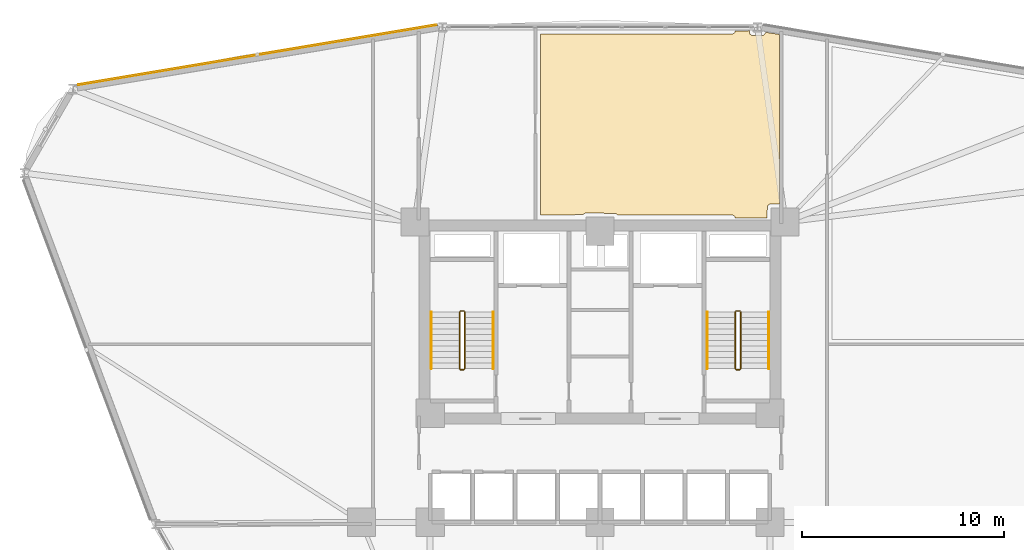
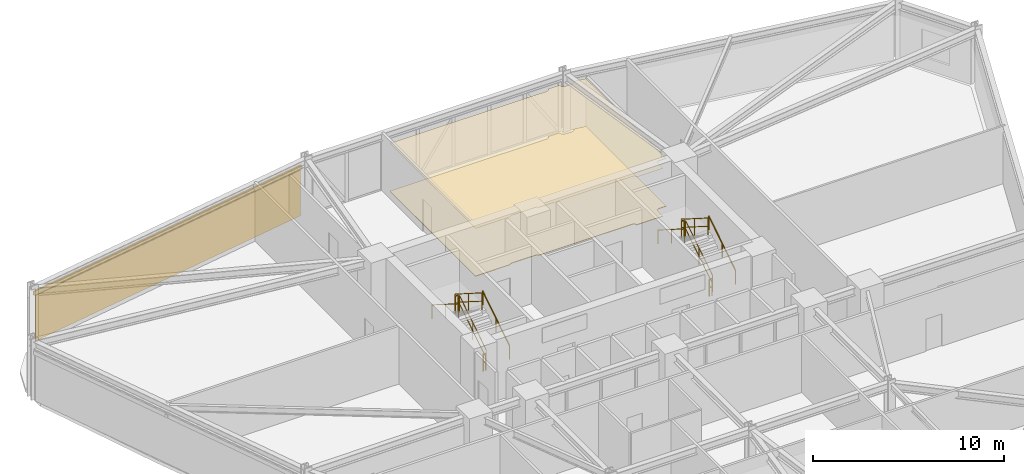
# One storey, part 21 of 22: 12 railings, 3 coverings, 1 shading device.
"""IFC4 building model written with IfcOpenShell, lengths in metres."""

import ifcopenshell
import ifcopenshell.guid

model = None  # the IFC model being written
_history = None  # IfcOwnerHistory: only IFC2X3 demands one
_inside = {}  # id of a spatial element -> (the spatial element, [elements in it])
_under = {}  # id of a project, library or spatial element -> (it, [spatial elements below it])
_declared = {}  # id of a project -> (the project, [libraries it declares])
_typed = {}  # id of a type object -> (the type object, [elements of that type])
_made_of = {}  # id of a material, layer set ... -> (it, [elements and type objects made of it])


def new_model(schema):
    """Start an empty IFC model of exactly this schema.

    Asked for "IFC4X3", IfcOpenShell would pick the latest addendum, in which some entities
    have other attributes; the version numbers below select the first issue.
    IFC2X3 requires an IfcOwnerHistory on every rooted entity: one is made here for all.
    """
    global model, _history
    if schema == "IFC4X3":
        model = ifcopenshell.file(schema_version=(4, 3, 0, 0))
    else:
        model = ifcopenshell.file(schema=schema)
    _inside.clear()
    _under.clear()
    _declared.clear()
    _typed.clear()
    _made_of.clear()
    _history = None
    if model.schema == "IFC2X3":
        org = make("IfcOrganization", Name="unknown")
        user = make(
            "IfcPersonAndOrganization",
            ThePerson=make("IfcPerson", FamilyName="unknown"),
            TheOrganization=org,
        )
        app = make(
            "IfcApplication",
            ApplicationDeveloper=org,
            Version="unknown",
            ApplicationFullName="unknown",
            ApplicationIdentifier="unknown",
        )
        _history = make(
            "IfcOwnerHistory",
            OwningUser=user,
            OwningApplication=app,
            ChangeAction="ADDED",
            CreationDate=0,
        )
    return model


def make(cls, **values):
    """One entity of the class cls with the attributes given. An attribute that is None is left unset."""
    return model.create_entity(
        cls, **{name: value for name, value in values.items() if value is not None}
    )


def rooted(cls, **values):
    """An entity with a GlobalId (a new one), such as an element, a storey or a relation."""
    return make(cls, GlobalId=ifcopenshell.guid.new(), OwnerHistory=_history, **values)


def si_unit(unit_type, name, prefix=None):
    """IfcSIUnit, for example si_unit("LENGTHUNIT", "METRE", prefix="MILLI")."""
    return make("IfcSIUnit", UnitType=unit_type, Prefix=prefix, Name=name)


def derived_unit(unit_type, elements):
    """IfcDerivedUnit: a product of units, each with its exponent."""
    return make(
        "IfcDerivedUnit",
        Elements=[
            make("IfcDerivedUnitElement", Unit=unit, Exponent=power)
            for unit, power in elements
        ],
        UnitType=unit_type,
    )


def assignment(units):
    """IfcUnitAssignment: the units of a project."""
    return None if units is None else make("IfcUnitAssignment", Units=units)


def point(xyz):
    """IfcCartesianPoint."""
    return None if xyz is None else make("IfcCartesianPoint", Coordinates=xyz)


def direction(xyz):
    """IfcDirection."""
    return None if xyz is None else make("IfcDirection", DirectionRatios=xyz)


def frame(location, z_axis=None, x_axis=None):
    """IfcAxis2Placement3D, a coordinate frame: its origin and axes. An axis left out is left unset."""
    return make(
        "IfcAxis2Placement3D",
        Location=point(location),
        Axis=direction(z_axis),
        RefDirection=direction(x_axis),
    )


def frame_2d(location, x_axis=None):
    """IfcAxis2Placement2D, a coordinate frame in the plane: its origin and x axis."""
    return make(
        "IfcAxis2Placement2D", Location=point(location), RefDirection=direction(x_axis)
    )


def origin():
    """The frame at (0, 0, 0) with its axes left unset."""
    return frame((0.0, 0.0, 0.0))


def origin_2d():
    """The frame at (0, 0) in the plane with its x axis left unset."""
    return frame_2d((0.0, 0.0))


def place(relative_to, where):
    """IfcLocalPlacement: puts the frame where relative to a parent placement (None: the world)."""
    return make(
        "IfcLocalPlacement", PlacementRelTo=relative_to, RelativePlacement=where
    )


def context(
    kind, dimensions, precision=None, world=None, true_north=None, identifier=None
):
    """IfcGeometricRepresentationContext, for example the 3D "Model" context."""
    return make(
        "IfcGeometricRepresentationContext",
        ContextIdentifier=identifier,
        ContextType=kind,
        CoordinateSpaceDimension=dimensions,
        Precision=precision,
        WorldCoordinateSystem=world,
        TrueNorth=true_north,
    )


def subcontext(parent, identifier, kind, view, scale=None):
    """IfcGeometricRepresentationSubContext, for example "Body" below "Model"."""
    return make(
        "IfcGeometricRepresentationSubContext",
        ContextIdentifier=identifier,
        ContextType=kind,
        ParentContext=parent,
        TargetScale=scale,
        TargetView=view,
    )


def project(units=None, contexts=None):
    """IfcProject with its units and contexts."""
    return rooted(
        "IfcProject",
        Name="project",
        RepresentationContexts=contexts,
        UnitsInContext=assignment(units),
    )


def spatial(cls, under=None, at=None, **own):
    """A site, building, storey or space (cls), placed at a placement, below another one or the project."""
    s = rooted(cls, ObjectPlacement=at, **own)
    if under is not None:
        _under.setdefault(under.id(), (under, []))[1].append(s)
    return s


def polyline(points):
    """IfcPolyline through the points."""
    return make("IfcPolyline", Points=[point(p) for p in points])


def profile(cls, at=None, kind="AREA", **sizes):
    """A parametric profile (cls). Its sizes go by their IFC names, for example OverallWidth=200.0."""
    return make(cls, ProfileType=kind, Position=at, **sizes)


def hollow_rectangle(**sizes):
    """IfcRectangleHollowProfileDef."""
    return profile("IfcRectangleHollowProfileDef", **sizes)


def circle(**sizes):
    """IfcCircleProfileDef."""
    return profile("IfcCircleProfileDef", **sizes)


def outline(outer, holes=None, kind="AREA"):
    """IfcArbitraryClosedProfileDef: a profile drawn as a closed curve; with holes, ...WithVoids."""
    if holes is None:
        return make("IfcArbitraryClosedProfileDef", ProfileType=kind, OuterCurve=outer)
    return make(
        "IfcArbitraryProfileDefWithVoids",
        ProfileType=kind,
        OuterCurve=outer,
        InnerCurves=holes,
    )


def extrude(swept, where, along, depth):
    """IfcExtrudedAreaSolid: the profile swept, set in the frame where, extruded along a direction by depth."""
    return make(
        "IfcExtrudedAreaSolid",
        SweptArea=swept,
        Position=where,
        ExtrudedDirection=direction(along),
        Depth=depth,
    )


def shape(context_of_items, identifier, shape_type, items):
    """IfcShapeRepresentation: the items that make up one representation, for example the "Body"."""
    return make(
        "IfcShapeRepresentation",
        ContextOfItems=context_of_items,
        RepresentationIdentifier=identifier,
        RepresentationType=shape_type,
        Items=items,
    )


def source(mapping_origin, context_of_items, identifier, shape_type, items):
    """IfcRepresentationMap: a shape defined once, which mapped items show again and again."""
    return make(
        "IfcRepresentationMap",
        MappingOrigin=mapping_origin,
        MappedRepresentation=shape(context_of_items, identifier, shape_type, items),
    )


def transform(
    local_origin,
    x_axis=None,
    y_axis=None,
    z_axis=None,
    scale=None,
    scale2=None,
    scale3=None,
    uniform=True,
):
    """IfcCartesianTransformationOperator3D, or its non-uniform kind. x_axis, y_axis, z_axis: its Axis1, 2, 3."""
    if uniform:
        return make(
            "IfcCartesianTransformationOperator3D",
            Axis1=direction(x_axis),
            Axis2=direction(y_axis),
            LocalOrigin=point(local_origin),
            Scale=scale,
            Axis3=direction(z_axis),
        )
    return make(
        "IfcCartesianTransformationOperator3DnonUniform",
        Axis1=direction(x_axis),
        Axis2=direction(y_axis),
        LocalOrigin=point(local_origin),
        Scale=scale,
        Axis3=direction(z_axis),
        Scale2=scale2,
        Scale3=scale3,
    )


def mapped(mapping_source, mapping_target):
    """IfcMappedItem: shows the shape of a source again, moved by a transform."""
    return make(
        "IfcMappedItem", MappingSource=mapping_source, MappingTarget=mapping_target
    )


def material(Name=None, Category=None):
    """IfcMaterial."""
    return make("IfcMaterial", Name=Name, Category=Category)


def layer(
    of_material, thickness, ventilated=None, Name=None, Category=None, Priority=None
):
    """IfcMaterialLayer: one layer of a wall or slab, of a material (None: an air gap)."""
    return make(
        "IfcMaterialLayer",
        Material=of_material,
        LayerThickness=thickness,
        IsVentilated=ventilated,
        Name=Name,
        Category=Category,
        Priority=Priority,
    )


def layer_set(layers, Name=None):
    """IfcMaterialLayerSet."""
    return make("IfcMaterialLayerSet", MaterialLayers=layers, LayerSetName=Name)


def material_profile(
    of_material, cross_section, Name=None, Category=None, Priority=None
):
    """IfcMaterialProfile: a cross section and its material."""
    return make(
        "IfcMaterialProfile",
        Name=Name,
        Material=of_material,
        Profile=cross_section,
        Priority=Priority,
        Category=Category,
    )


def profile_set(profiles, Name=None, composite=None):
    """IfcMaterialProfileSet."""
    return make(
        "IfcMaterialProfileSet",
        Name=Name,
        MaterialProfiles=profiles,
        CompositeProfile=composite,
    )


def made_of(thing, what):
    """Note that an element or type object is made of a material, layer set ...; save() writes the relation."""
    if what is not None:
        _made_of.setdefault(what.id(), (what, []))[1].append(thing)
    return thing


def type_object(cls, material=None, **own):
    """A type object (cls), such as IfcWallType, which elements share."""
    return made_of(rooted(cls, **own), material)


def element(
    cls,
    number,
    at=None,
    inside=None,
    cuts=None,
    type_object=None,
    material=None,
    context=None,
    identifier="Body",
    shape_type=None,
    held_by="IfcProductDefinitionShape",
    body=None,
    shapes=None,
    **own,
):
    """One element of the class cls, such as IfcWall. Its Tag is "e" and its number.

    at: its placement. inside: the storey or other place that contains it. cuts: it is an
    opening in that element (IfcRelVoidsElement). A single representation is given by context,
    identifier, shape_type and body (its items); several are given by shapes. held_by: the class
    of the entity that holds the representations. save() writes the other relations.
    """
    e = rooted(cls, Tag="e%d" % number, ObjectPlacement=at, **own)
    if body is not None:
        shapes = [shape(context, identifier, shape_type, body)]
    if shapes is not None:
        e.Representation = make(held_by, Representations=shapes)
    if inside is not None:
        _inside.setdefault(inside.id(), (inside, []))[1].append(e)
    if cuts is not None:
        rooted(
            "IfcRelVoidsElement", RelatingBuildingElement=cuts, RelatedOpeningElement=e
        )
    if type_object is not None:
        _typed.setdefault(type_object.id(), (type_object, []))[1].append(e)
    return made_of(e, material)


def aggregate(whole, parts):
    """IfcRelAggregates: a whole, such as a stair, and the parts it consists of."""
    return rooted("IfcRelAggregates", RelatingObject=whole, RelatedObjects=parts)


def save(model, path):
    """Write the relations noted so far, then the file.

    IfcRelAggregates (storeys below a building ...), IfcRelContainedInSpatialStructure (elements
    in a storey), IfcRelDefinesByType, IfcRelAssociatesMaterial and IfcRelDeclares: one each for
    every whole, place, type object, material and project.
    """
    for whole, parts in _under.values():
        aggregate(whole, parts)
    for where, things in _inside.values():
        rooted(
            "IfcRelContainedInSpatialStructure",
            RelatedElements=things,
            RelatingStructure=where,
        )
    for kind, things in _typed.values():
        rooted("IfcRelDefinesByType", RelatedObjects=things, RelatingType=kind)
    for what, things in _made_of.values():
        rooted("IfcRelAssociatesMaterial", RelatedObjects=things, RelatingMaterial=what)
    for by, libraries in _declared.values():
        rooted("IfcRelDeclares", RelatingContext=by, RelatedDefinitions=libraries)
    model.write(path)


model = new_model("IFC4")

# Units and contexts
model_context = context("Model", 3, precision=1e-05, world=origin(), true_north=direction((0.0, 1.0)))
body_context = subcontext(model_context, "Body", "Model", "MODEL_VIEW")
ifc_project = project(units=[si_unit("LENGTHUNIT", "METRE"), si_unit("AREAUNIT", "SQUARE_METRE"), si_unit("VOLUMEUNIT", "CUBIC_METRE"), si_unit("PLANEANGLEUNIT", "RADIAN"), si_unit("MASSUNIT", "GRAM", prefix="KILO"), derived_unit("THERMALTRANSMITTANCEUNIT", [(si_unit("POWERUNIT", "WATT"), 1), (si_unit("LENGTHUNIT", "METRE"), -2), (si_unit("THERMODYNAMICTEMPERATUREUNIT", "KELVIN"), -1)])], contexts=[model_context])

# Site, building, storey
site_placement = place(None, origin())
site = spatial("IfcSite", under=ifc_project, at=site_placement, CompositionType="ELEMENT")
building_placement = place(site_placement, origin())
building = spatial("IfcBuilding", under=site, at=building_placement, Name="Korsvarv Bourse and Concert Hall", CompositionType="ELEMENT")
storey_placement = place(building_placement, frame((0.0, 0.0, 51.300048828125)))
storey = spatial("IfcBuildingStorey", under=building, at=storey_placement, Name="L12", CompositionType="ELEMENT", Elevation=51.300048828125)

# Coverings
ifc_material_1 = material(Name="Perforated mineral-wool and birch acoustic baffle ceiling", Category="wood")
ifc_layer_1 = layer(ifc_material_1, 0.02490234375)
ifc_layer_set_1 = layer_set([ifc_layer_1], Name="Perforated mineral-wool and birch acoustic baffle ceiling")
covering_type_1 = type_object("IfcCoveringType", Name="COV-CEIL-1", PredefinedType="CEILING", material=ifc_layer_set_1)
covering_1_placement = place(storey_placement, frame((0.0, 0.0, 3.06005859375)))
element("IfcCovering", 1, at=covering_1_placement, inside=storey, type_object=covering_type_1, Name="L12 acoustic baffle ceiling 3", PredefinedType="CEILING", context=body_context, shape_type="SweptSolid", body=[
    extrude(outline(polyline([(33.050048828125, 47.60009765625), (33.050048828125, 56.549560546875), (42.510009765625, 56.549560546875), (42.546142578125, 56.55322265625), (42.5810546875, 56.564208984375), (42.61279296875, 56.581787109375), (42.640380859375, 56.60546875), (42.66259765625, 56.63427734375), (42.6787109375, 56.6669921875), (42.68798828125, 56.7021484375), (43.3828125, 56.70947265625), (43.3828125, 56.652587890625), (43.385986328125, 56.617919921875), (43.39599609375, 56.584716796875), (43.412109375, 56.5537109375), (43.43408203125, 56.526611328125), (43.460693359375, 56.50439453125), (43.490966796875, 56.4873046875), (43.52392578125, 56.476806640625), (43.55859375, 56.472412109375), (43.99267578125, 56.46240234375), (44.027099609375, 56.465087890625), (44.060791015625, 56.474365234375), (44.091796875, 56.48974609375), (44.119384765625, 56.5107421875), (44.142333984375, 56.536865234375), (44.159912109375, 56.56689453125), (44.17138671875, 56.599609375), (44.176513671875, 56.6337890625), (44.870849609375, 56.525146484375), (44.8701171875, 48.139892578125), (44.449951171875, 48.139892578125), (44.415283203125, 48.13671875), (44.381591796875, 48.12646484375), (44.350830078125, 48.110107421875), (44.323486328125, 48.088134765625), (44.30126953125, 48.061279296875), (44.284423828125, 48.03076171875), (44.27392578125, 47.997314453125), (44.27001953125, 47.962646484375), (44.2626953125, 47.43994140625), (42.688720703125, 47.43994140625), (42.68408203125, 47.465087890625), (42.671630859375, 47.499267578125), (42.65234375, 47.5302734375), (42.627197265625, 47.556640625), (42.597412109375, 47.577392578125), (42.56396484375, 47.591796875), (42.5283203125, 47.59912109375), (36.859619140625, 47.60009765625), (36.837646484375, 47.626708984375), (36.810791015625, 47.649169921875), (36.77978515625, 47.666015625), (36.74609375, 47.67626953125), (36.711181640625, 47.679931640625), (35.30126953125, 47.68994140625), (35.266357421875, 47.686767578125), (35.232421875, 47.677001953125), (35.201416015625, 47.66064453125), (35.174072265625, 47.638427734375), (35.1513671875, 47.611572265625), (33.050048828125, 47.60009765625)])), origin(), (0.0, 0.0, 1.0), 0.02490234375),
])
ifc_material_2 = material(Name="Warm iron-oxide extruded terracotta rainscreen tile", Category="ceramic")
ifc_layer_2 = layer(ifc_material_2, 0.044921875)
ifc_layer_set_2 = layer_set([ifc_layer_2], Name="Warm iron-oxide extruded terracotta rainscreen tile")
covering_type_2 = type_object("IfcCoveringType", Name="COV-CLD-TC", PredefinedType="CLADDING", material=ifc_layer_set_2)
covering_2_placement = place(storey_placement, origin())
element("IfcCovering", 2, at=covering_2_placement, inside=storey, type_object=covering_type_2, Name="L12 fluted terracotta cladding panel EW-L12-B04", PredefinedType="CLADDING", context=body_context, shape_type="SweptSolid", body=[
    extrude(outline(polyline([(27.897216796875, 56.97314453125), (10.204345703125, 54.01123046875), (10.197021484375, 54.055419921875), (27.8896484375, 57.017578125), (27.897216796875, 56.97314453125)])), origin(), (0.0, 0.0, 1.0), 2.909912109375),
])
ifc_material_3 = material(Name="Calcium-sulphate raised access trading floor with Nordic oak top", Category="wood")
ifc_layer_3 = layer(ifc_material_3, 0.0400390625)
ifc_layer_set_3 = layer_set([ifc_layer_3], Name="Calcium-sulphate raised access trading floor with Nordic oak top")
covering_type_3 = type_object("IfcCoveringType", Name="COV-FLOR-1", PredefinedType="FLOORING", material=ifc_layer_set_3)
covering_3_placement = place(storey_placement, origin())
element("IfcCovering", 3, at=covering_3_placement, inside=storey, type_object=covering_type_3, Name="L12 raised access oak floor finish 3", PredefinedType="FLOORING", context=body_context, shape_type="SweptSolid", body=[
    extrude(outline(polyline([(33.050048828125, 47.60009765625), (33.050048828125, 56.549560546875), (42.510009765625, 56.549560546875), (42.546142578125, 56.55322265625), (42.5810546875, 56.564208984375), (42.61279296875, 56.581787109375), (42.640380859375, 56.60546875), (42.66259765625, 56.63427734375), (42.6787109375, 56.6669921875), (42.68798828125, 56.7021484375), (43.3828125, 56.70947265625), (43.3828125, 56.652587890625), (43.385986328125, 56.617919921875), (43.39599609375, 56.584716796875), (43.412109375, 56.5537109375), (43.43408203125, 56.526611328125), (43.460693359375, 56.50439453125), (43.490966796875, 56.4873046875), (43.52392578125, 56.476806640625), (43.55859375, 56.472412109375), (43.99267578125, 56.46240234375), (44.027099609375, 56.465087890625), (44.060791015625, 56.474365234375), (44.091796875, 56.48974609375), (44.119384765625, 56.5107421875), (44.142333984375, 56.536865234375), (44.159912109375, 56.56689453125), (44.17138671875, 56.599609375), (44.176513671875, 56.6337890625), (44.870849609375, 56.525146484375), (44.8701171875, 48.139892578125), (44.449951171875, 48.139892578125), (44.415283203125, 48.13671875), (44.381591796875, 48.12646484375), (44.350830078125, 48.110107421875), (44.323486328125, 48.088134765625), (44.30126953125, 48.061279296875), (44.284423828125, 48.03076171875), (44.27392578125, 47.997314453125), (44.27001953125, 47.962646484375), (44.2626953125, 47.43994140625), (42.688720703125, 47.43994140625), (42.68408203125, 47.465087890625), (42.671630859375, 47.499267578125), (42.65234375, 47.5302734375), (42.627197265625, 47.556640625), (42.597412109375, 47.577392578125), (42.56396484375, 47.591796875), (42.5283203125, 47.59912109375), (36.859619140625, 47.60009765625), (36.837646484375, 47.626708984375), (36.810791015625, 47.649169921875), (36.77978515625, 47.666015625), (36.74609375, 47.67626953125), (36.711181640625, 47.679931640625), (35.30126953125, 47.68994140625), (35.266357421875, 47.686767578125), (35.232421875, 47.677001953125), (35.201416015625, 47.66064453125), (35.174072265625, 47.638427734375), (35.1513671875, 47.611572265625), (33.050048828125, 47.60009765625)])), origin(), (0.0, 0.0, 1.0), 0.0400390625),
])

# Railings
ifc_material_4 = material(Name="Painted Steel S355 stair well guardrail", Category="steel")
railing_type_1 = type_object("IfcRailingType", Name="RL-ST-GRD", PredefinedType="GUARDRAIL", material=ifc_material_4)
railing_1_placement = place(storey_placement, frame((29.31005859375, 40.0, 0.17724609375)))
element("IfcRailing", 4, at=railing_1_placement, inside=storey, type_object=railing_type_1, Name="L12 ST-T1 stair guard 1", PredefinedType="GUARDRAIL", context=body_context, shape_type="SweptSolid", body=[
    extrude(circle(Radius=0.02392578125, at=origin_2d()), frame((0.0, 0.0, 1.076171875), z_axis=(0.0, 0.844908973607, 0.534910110503), x_axis=(-1.0, 0.0, 0.0)), (0.0, 0.0, 1.0), 3.31396484375),
    extrude(circle(Radius=0.02392578125, at=origin_2d()), frame((0.0, 0.0, 0.550048828125), z_axis=(0.0, 0.844908973607, 0.534910110503), x_axis=(-1.0, 0.0, 0.0)), (0.0, 0.0, 1.0), 3.31396484375),
    extrude(circle(Radius=0.02099609375, at=origin_2d()), origin(), (0.0, 0.0, 1.0), 1.052001953125),
    extrude(circle(Radius=0.02099609375, at=origin_2d()), frame((0.0, 1.39990234375, 0.88623046875)), (0.0, 0.0, 1.0), 1.052001953125),
    extrude(circle(Radius=0.02099609375, at=origin_2d()), frame((0.0, 2.800048828125, 1.772705078125)), (0.0, 0.0, 1.0), 1.052001953125),
])
railing_2_placement = place(storey_placement, frame((29.260009765625, 42.85009765625, 1.949951171875)))
element("IfcRailing", 5, at=railing_2_placement, inside=storey, type_object=railing_type_1, Name="L12 ST-T1 stair guard 2", PredefinedType="GUARDRAIL", context=body_context, shape_type="SweptSolid", body=[
    extrude(circle(Radius=0.02392578125, at=origin_2d()), frame((0.0, 0.0, 1.076171875), z_axis=(-1.0, 0.0, 0.0), x_axis=(0.0, -1.0, 0.0)), (0.0, 0.0, 1.0), 0.159912109375),
    extrude(circle(Radius=0.02392578125, at=origin_2d()), frame((0.0, 0.0, 0.550048828125), z_axis=(-1.0, 0.0, 0.0), x_axis=(0.0, -1.0, 0.0)), (0.0, 0.0, 1.0), 0.159912109375),
    extrude(circle(Radius=0.02099609375, at=origin_2d()), origin(), (0.0, 0.0, 1.0), 1.052001953125),
    extrude(circle(Radius=0.02099609375, at=origin_2d()), frame((-0.159912109375, 0.0, 0.0)), (0.0, 0.0, 1.0), 1.052001953125),
])
railing_3_placement = place(storey_placement, frame((29.050048828125, 42.800048828125, 2.127197265625)))
element("IfcRailing", 6, at=railing_3_placement, inside=storey, type_object=railing_type_1, Name="L12 ST-T1 stair guard 3", PredefinedType="GUARDRAIL", context=body_context, shape_type="SweptSolid", body=[
    extrude(circle(Radius=0.02392578125, at=origin_2d()), frame((0.0, 0.0, 1.076171875), z_axis=(0.0, -0.844908973607, 0.534910110503), x_axis=(1.0, 0.0, 0.0)), (0.0, 0.0, 1.0), 3.31396484375),
    extrude(circle(Radius=0.02392578125, at=origin_2d()), frame((0.0, 0.0, 0.550048828125), z_axis=(0.0, -0.844908973607, 0.534910110503), x_axis=(1.0, 0.0, 0.0)), (0.0, 0.0, 1.0), 3.31396484375),
    extrude(circle(Radius=0.02099609375, at=origin_2d()), origin(), (0.0, 0.0, 1.0), 1.052001953125),
    extrude(circle(Radius=0.02099609375, at=origin_2d()), frame((0.0, -1.39990234375, 0.88623046875)), (0.0, 0.0, 1.0), 1.052001953125),
    extrude(circle(Radius=0.02099609375, at=origin_2d()), frame((0.0, -2.800048828125, 1.772705078125)), (0.0, 0.0, 1.0), 1.052001953125),
])
railing_4_placement = place(storey_placement, frame((29.260009765625, 39.949951171875, 0.0)))
element("IfcRailing", 7, at=railing_4_placement, inside=storey, type_object=railing_type_1, Name="L12 ST-T1 stair guard 4", PredefinedType="GUARDRAIL", context=body_context, shape_type="SweptSolid", body=[
    extrude(circle(Radius=0.02392578125, at=origin_2d()), frame((0.0, 0.0, 1.076171875), z_axis=(-1.0, 0.0, 0.0), x_axis=(0.0, -1.0, 0.0)), (0.0, 0.0, 1.0), 0.159912109375),
    extrude(circle(Radius=0.02392578125, at=origin_2d()), frame((0.0, 0.0, 0.550048828125), z_axis=(-1.0, 0.0, 0.0), x_axis=(0.0, -1.0, 0.0)), (0.0, 0.0, 1.0), 0.159912109375),
    extrude(circle(Radius=0.02099609375, at=origin_2d()), origin(), (0.0, 0.0, 1.0), 1.052001953125),
    extrude(circle(Radius=0.02099609375, at=origin_2d()), frame((-0.159912109375, 0.0, 0.0)), (0.0, 0.0, 1.0), 1.052001953125),
])
railing_5_placement = place(storey_placement, frame((42.949951171875, 40.0, 0.17724609375)))
element("IfcRailing", 8, at=railing_5_placement, inside=storey, type_object=railing_type_1, Name="L12 ST-T2 stair guard 1", PredefinedType="GUARDRAIL", context=body_context, shape_type="SweptSolid", body=[
    extrude(circle(Radius=0.02392578125, at=origin_2d()), frame((0.0, 0.0, 1.076171875), z_axis=(0.0, 0.844908973607, 0.534910110503), x_axis=(-1.0, 0.0, 0.0)), (0.0, 0.0, 1.0), 3.31396484375),
    extrude(circle(Radius=0.02392578125, at=origin_2d()), frame((0.0, 0.0, 0.550048828125), z_axis=(0.0, 0.844908973607, 0.534910110503), x_axis=(-1.0, 0.0, 0.0)), (0.0, 0.0, 1.0), 3.31396484375),
    extrude(circle(Radius=0.02099609375, at=origin_2d()), origin(), (0.0, 0.0, 1.0), 1.052001953125),
    extrude(circle(Radius=0.02099609375, at=origin_2d()), frame((0.0, 1.39990234375, 0.88623046875)), (0.0, 0.0, 1.0), 1.052001953125),
    extrude(circle(Radius=0.02099609375, at=origin_2d()), frame((0.0, 2.800048828125, 1.772705078125)), (0.0, 0.0, 1.0), 1.052001953125),
])
railing_6_placement = place(storey_placement, frame((42.89990234375, 42.85009765625, 1.949951171875)))
element("IfcRailing", 9, at=railing_6_placement, inside=storey, type_object=railing_type_1, Name="L12 ST-T2 stair guard 2", PredefinedType="GUARDRAIL", context=body_context, shape_type="SweptSolid", body=[
    extrude(circle(Radius=0.02392578125, at=origin_2d()), frame((0.0, 0.0, 1.076171875), z_axis=(-1.0, 0.0, 0.0), x_axis=(0.0, -1.0, 0.0)), (0.0, 0.0, 1.0), 0.159912109375),
    extrude(circle(Radius=0.02392578125, at=origin_2d()), frame((0.0, 0.0, 0.550048828125), z_axis=(-1.0, 0.0, 0.0), x_axis=(0.0, -1.0, 0.0)), (0.0, 0.0, 1.0), 0.159912109375),
    extrude(circle(Radius=0.02099609375, at=origin_2d()), origin(), (0.0, 0.0, 1.0), 1.052001953125),
    extrude(circle(Radius=0.02099609375, at=origin_2d()), frame((-0.159912109375, 0.0, 0.0)), (0.0, 0.0, 1.0), 1.052001953125),
])
railing_7_placement = place(storey_placement, frame((42.68994140625, 42.800048828125, 2.127197265625)))
element("IfcRailing", 10, at=railing_7_placement, inside=storey, type_object=railing_type_1, Name="L12 ST-T2 stair guard 3", PredefinedType="GUARDRAIL", context=body_context, shape_type="SweptSolid", body=[
    extrude(circle(Radius=0.02392578125, at=origin_2d()), frame((0.0, 0.0, 1.076171875), z_axis=(0.0, -0.844908973607, 0.534910110503), x_axis=(1.0, 0.0, 0.0)), (0.0, 0.0, 1.0), 3.31396484375),
    extrude(circle(Radius=0.02392578125, at=origin_2d()), frame((0.0, 0.0, 0.550048828125), z_axis=(0.0, -0.844908973607, 0.534910110503), x_axis=(1.0, 0.0, 0.0)), (0.0, 0.0, 1.0), 3.31396484375),
    extrude(circle(Radius=0.02099609375, at=origin_2d()), origin(), (0.0, 0.0, 1.0), 1.052001953125),
    extrude(circle(Radius=0.02099609375, at=origin_2d()), frame((0.0, -1.39990234375, 0.88623046875)), (0.0, 0.0, 1.0), 1.052001953125),
    extrude(circle(Radius=0.02099609375, at=origin_2d()), frame((0.0, -2.800048828125, 1.772705078125)), (0.0, 0.0, 1.0), 1.052001953125),
])
railing_8_placement = place(storey_placement, frame((42.89990234375, 39.949951171875, 0.0)))
element("IfcRailing", 11, at=railing_8_placement, inside=storey, type_object=railing_type_1, Name="L12 ST-T2 stair guard 4", PredefinedType="GUARDRAIL", context=body_context, shape_type="SweptSolid", body=[
    extrude(circle(Radius=0.02392578125, at=origin_2d()), frame((0.0, 0.0, 1.076171875), z_axis=(-1.0, 0.0, 0.0), x_axis=(0.0, -1.0, 0.0)), (0.0, 0.0, 1.0), 0.159912109375),
    extrude(circle(Radius=0.02392578125, at=origin_2d()), frame((0.0, 0.0, 0.550048828125), z_axis=(-1.0, 0.0, 0.0), x_axis=(0.0, -1.0, 0.0)), (0.0, 0.0, 1.0), 0.159912109375),
    extrude(circle(Radius=0.02099609375, at=origin_2d()), origin(), (0.0, 0.0, 1.0), 1.052001953125),
    extrude(circle(Radius=0.02099609375, at=origin_2d()), frame((-0.159912109375, 0.0, 0.0)), (0.0, 0.0, 1.0), 1.052001953125),
])
ifc_material_5 = material(Name="Brushed stainless Steel S355 tubular handrail", Category="steel")
railing_type_2 = type_object("IfcRailingType", Name="RL-ST-HND", PredefinedType="HANDRAIL", material=ifc_material_5)
railing_9_placement = place(storey_placement, frame((30.7099609375, 40.0, 0.17724609375)))
element("IfcRailing", 12, at=railing_9_placement, inside=storey, type_object=railing_type_2, Name="L12 ST-T1 stair handrail 1", PredefinedType="HANDRAIL", context=body_context, shape_type="SweptSolid", body=[
    extrude(circle(Radius=0.02392578125, at=origin_2d()), frame((0.0, 0.0, 0.8759765625), z_axis=(0.0, 0.844908973607, 0.534910110503), x_axis=(-1.0, 0.0, 0.0)), (0.0, 0.0, 1.0), 3.31396484375),
    extrude(circle(Radius=0.02099609375, at=origin_2d()), origin(), (0.0, 0.0, 1.0), 0.851806640625),
    extrude(circle(Radius=0.02099609375, at=origin_2d()), frame((0.0, 1.39990234375, 0.88623046875)), (0.0, 0.0, 1.0), 0.851806640625),
    extrude(circle(Radius=0.02099609375, at=origin_2d()), frame((0.0, 2.800048828125, 1.772705078125)), (0.0, 0.0, 1.0), 0.851806640625),
])
railing_10_placement = place(storey_placement, frame((27.64990234375, 42.800048828125, 2.127197265625)))
element("IfcRailing", 13, at=railing_10_placement, inside=storey, type_object=railing_type_2, Name="L12 ST-T1 stair handrail 2", PredefinedType="HANDRAIL", context=body_context, shape_type="SweptSolid", body=[
    extrude(circle(Radius=0.02392578125, at=origin_2d()), frame((0.0, 0.0, 0.8759765625), z_axis=(0.0, -0.844908973607, 0.534910110503), x_axis=(1.0, 0.0, 0.0)), (0.0, 0.0, 1.0), 3.31396484375),
    extrude(circle(Radius=0.02099609375, at=origin_2d()), origin(), (0.0, 0.0, 1.0), 0.851806640625),
    extrude(circle(Radius=0.02099609375, at=origin_2d()), frame((0.0, -1.39990234375, 0.88623046875)), (0.0, 0.0, 1.0), 0.851806640625),
    extrude(circle(Radius=0.02099609375, at=origin_2d()), frame((0.0, -2.800048828125, 1.772705078125)), (0.0, 0.0, 1.0), 0.851806640625),
])
railing_11_placement = place(storey_placement, frame((44.35009765625, 40.0, 0.17724609375)))
element("IfcRailing", 14, at=railing_11_placement, inside=storey, type_object=railing_type_2, Name="L12 ST-T2 stair handrail 1", PredefinedType="HANDRAIL", context=body_context, shape_type="SweptSolid", body=[
    extrude(circle(Radius=0.02392578125, at=origin_2d()), frame((0.0, 0.0, 0.8759765625), z_axis=(0.0, 0.844908973607, 0.534910110503), x_axis=(-1.0, 0.0, 0.0)), (0.0, 0.0, 1.0), 3.31396484375),
    extrude(circle(Radius=0.02099609375, at=origin_2d()), origin(), (0.0, 0.0, 1.0), 0.851806640625),
    extrude(circle(Radius=0.02099609375, at=origin_2d()), frame((0.0, 1.39990234375, 0.88623046875)), (0.0, 0.0, 1.0), 0.851806640625),
    extrude(circle(Radius=0.02099609375, at=origin_2d()), frame((0.0, 2.800048828125, 1.772705078125)), (0.0, 0.0, 1.0), 0.851806640625),
])
railing_12_placement = place(storey_placement, frame((41.2900390625, 42.800048828125, 2.127197265625)))
element("IfcRailing", 15, at=railing_12_placement, inside=storey, type_object=railing_type_2, Name="L12 ST-T2 stair handrail 2", PredefinedType="HANDRAIL", context=body_context, shape_type="SweptSolid", body=[
    extrude(circle(Radius=0.02392578125, at=origin_2d()), frame((0.0, 0.0, 0.8759765625), z_axis=(0.0, -0.844908973607, 0.534910110503), x_axis=(1.0, 0.0, 0.0)), (0.0, 0.0, 1.0), 3.31396484375),
    extrude(circle(Radius=0.02099609375, at=origin_2d()), origin(), (0.0, 0.0, 1.0), 0.851806640625),
    extrude(circle(Radius=0.02099609375, at=origin_2d()), frame((0.0, -1.39990234375, 0.88623046875)), (0.0, 0.0, 1.0), 0.851806640625),
    extrude(circle(Radius=0.02099609375, at=origin_2d()), frame((0.0, -2.800048828125, 1.772705078125)), (0.0, 0.0, 1.0), 0.851806640625),
])

# Shading device
ifc_material_6 = material(Name="Glazed extruded architectural terracotta", Category="ceramic")
ifc_material_profile = material_profile(ifc_material_6, hollow_rectangle(XDim=0.090087890625, YDim=0.260009765625, WallThickness=0.011962890625, at=origin_2d()), Name="TC-BAG 90x260")
ifc_profile_set = profile_set([ifc_material_profile], Name="Glazed extruded architectural terracotta")
shading_device_type = type_object("IfcShadingDeviceType", Name="SHD-BAG-1", PredefinedType="USERDEFINED", material=ifc_profile_set)
shared_shape = source(origin(), body_context, "Body", "SweptSolid", [
    extrude(hollow_rectangle(XDim=0.090087890625, YDim=0.260009765625, WallThickness=0.011962890625, at=origin_2d()), origin(), (0.0, 0.0, 1.0), 18.09912109375),
])
shading_device_placement = place(storey_placement, frame((27.969482421875, 57.02587890625, 3.070068359375), z_axis=(-0.986273350987, -0.165120795577, 0.0), x_axis=(0.165120795577, -0.986273350987, 0.0)))
element("IfcShadingDevice", 16, at=shading_device_placement, inside=storey, type_object=shading_device_type, Name="L12 terracotta baguette sunshade EW-L12-B04", ObjectType="BAGUETTE", PredefinedType="USERDEFINED", context=body_context, shape_type="MappedRepresentation", body=[
    mapped(shared_shape, transform((0.0, 0.0, 0.0), scale=1.0)),
])

save(model, "model.ifc")
